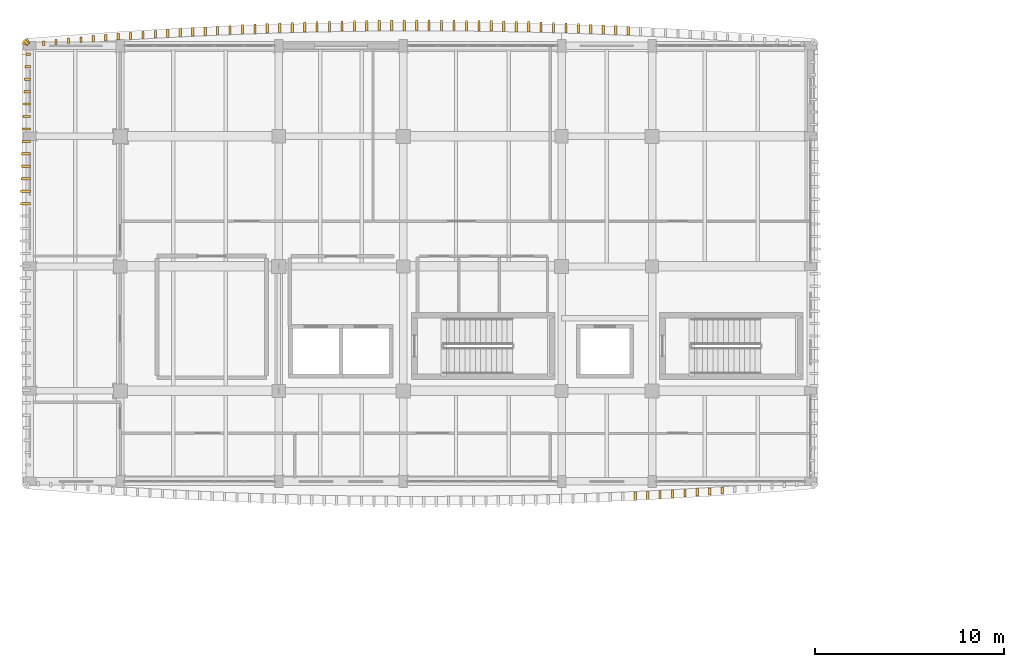
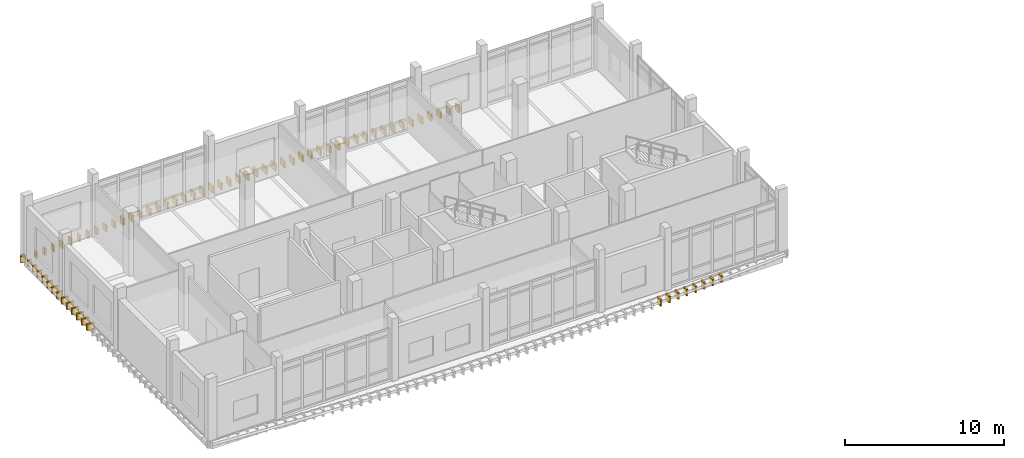
# One storey, part 32 of 37: 72 coverings.
"""IFC4 building model written with IfcOpenShell, lengths in metres."""

from ifc_helpers import new_model, si_unit, direction, frame, origin, origin_2d, place, context, subcontext, project, spatial, rectangle, extrude, material, layer, layer_set, type_object, element, save


model = new_model("IFC4")

# Units and contexts
model_context = context("Model", 3, precision=1e-05, world=origin(), true_north=direction((0.0, 1.0)))
body_context = subcontext(model_context, "Body", "Model", "MODEL_VIEW")
ifc_project = project(units=[si_unit("LENGTHUNIT", "METRE"), si_unit("AREAUNIT", "SQUARE_METRE"), si_unit("VOLUMEUNIT", "CUBIC_METRE"), si_unit("PLANEANGLEUNIT", "RADIAN"), si_unit("MASSUNIT", "GRAM", prefix="KILO")], contexts=[model_context])

# Site, building, storey
site_placement = place(None, origin())
site = spatial("IfcSite", under=ifc_project, at=site_placement, CompositionType="ELEMENT")
building_placement = place(site_placement, origin())
building = spatial("IfcBuilding", under=site, at=building_placement, Name="Dornvale Research Institute", CompositionType="ELEMENT")
storey_placement = place(building_placement, frame((0.0, 0.0, 29.39990234375)))
storey = spatial("IfcBuildingStorey", under=building, at=storey_placement, Name="L06", CompositionType="ELEMENT", Elevation=29.39990234375)

# Coverings
ifc_material = material(Name="Polychrome Glazed Terracotta Visor Rib Ceramic", Category="masonry")
ifc_layer = layer(ifc_material, 0.1201171875)
ifc_layer_set = layer_set([ifc_layer], Name="Polychrome Glazed Terracotta Visor Rib Ceramic")
covering_type = type_object("IfcCoveringType", Name="Covering_VisorBlade_Main", PredefinedType="CLADDING", material=ifc_layer_set)
covering_1_placement = place(storey_placement, frame((32.102783203125, 98.220703125, -0.489990234375), z_axis=(0.0, 0.0, 1.0), x_axis=(0.0, 1.0, 0.0)))
element("IfcCovering", 1, at=covering_1_placement, inside=storey, type_object=covering_type, Name="L06 V5 canted glazed terracotta visor blade #1039", PredefinedType="CLADDING", context=body_context, shape_type="SweptSolid", body=[
    extrude(rectangle(XDim=0.45703125, YDim=0.1201171875, at=origin_2d()), origin(), (0.0, 0.0, 1.0), 0.5),
])
covering_2_placement = place(storey_placement, frame((32.76220703125, 98.257080078125, -0.489990234375), z_axis=(0.0, 0.0, 1.0), x_axis=(0.0, 1.0, 0.0)))
element("IfcCovering", 2, at=covering_2_placement, inside=storey, type_object=covering_type, Name="L06 V5 canted glazed terracotta visor blade #1040", PredefinedType="CLADDING", context=body_context, shape_type="SweptSolid", body=[
    extrude(rectangle(XDim=0.445068359375, YDim=0.1201171875, at=origin_2d()), origin(), (0.0, 0.0, 1.0), 0.5),
])
covering_3_placement = place(storey_placement, frame((33.42138671875, 98.2958984375, -0.489990234375), z_axis=(0.0, 0.0, 1.0), x_axis=(0.0, 1.0, 0.0)))
element("IfcCovering", 3, at=covering_3_placement, inside=storey, type_object=covering_type, Name="L06 V5 canted glazed terracotta visor blade #1041", PredefinedType="CLADDING", context=body_context, shape_type="SweptSolid", body=[
    extrude(rectangle(XDim=0.431884765625, YDim=0.1201171875, at=origin_2d()), origin(), (0.0, 0.0, 1.0), 0.5),
])
covering_4_placement = place(storey_placement, frame((34.08056640625, 98.33740234375, -0.489990234375), z_axis=(0.0, 0.0, 1.0), x_axis=(0.0, 1.0, 0.0)))
element("IfcCovering", 4, at=covering_4_placement, inside=storey, type_object=covering_type, Name="L06 V5 canted glazed terracotta visor blade #1042", PredefinedType="CLADDING", context=body_context, shape_type="SweptSolid", body=[
    extrude(rectangle(XDim=0.41796875, YDim=0.1201171875, at=origin_2d()), origin(), (0.0, 0.0, 1.0), 0.5),
])
covering_5_placement = place(storey_placement, frame((34.739501953125, 98.379150390625, -0.489990234375), z_axis=(0.0, 0.0, 1.0), x_axis=(0.0, 1.0, 0.0)))
element("IfcCovering", 5, at=covering_5_placement, inside=storey, type_object=covering_type, Name="L06 V5 canted glazed terracotta visor blade #1043", PredefinedType="CLADDING", context=body_context, shape_type="SweptSolid", body=[
    extrude(rectangle(XDim=0.404052734375, YDim=0.1201171875, at=origin_2d()), origin(), (0.0, 0.0, 1.0), 0.5),
])
covering_6_placement = place(storey_placement, frame((35.3984375, 98.42529296875, -0.489990234375), z_axis=(0.0, 0.0, 1.0), x_axis=(0.0, 1.0, 0.0)))
element("IfcCovering", 6, at=covering_6_placement, inside=storey, type_object=covering_type, Name="L06 V5 canted glazed terracotta visor blade #1044", PredefinedType="CLADDING", context=body_context, shape_type="SweptSolid", body=[
    extrude(rectangle(XDim=0.388916015625, YDim=0.1201171875, at=origin_2d()), origin(), (0.0, 0.0, 1.0), 0.5),
])
covering_7_placement = place(storey_placement, frame((36.057373046875, 98.472412109375, -0.489990234375), z_axis=(0.0, 0.0, 1.0), x_axis=(0.0, 1.0, 0.0)))
element("IfcCovering", 7, at=covering_7_placement, inside=storey, type_object=covering_type, Name="L06 V5 canted glazed terracotta visor blade #1045", PredefinedType="CLADDING", context=body_context, shape_type="SweptSolid", body=[
    extrude(rectangle(XDim=0.373046875, YDim=0.1201171875, at=origin_2d()), origin(), (0.0, 0.0, 1.0), 0.5),
])
covering_8_placement = place(storey_placement, frame((36.716064453125, 98.521240234375, -0.489990234375), z_axis=(0.0, 0.0, 1.0), x_axis=(0.0, 1.0, 0.0)))
element("IfcCovering", 8, at=covering_8_placement, inside=storey, type_object=covering_type, Name="L06 V5 canted glazed terracotta visor blade #1046", PredefinedType="CLADDING", context=body_context, shape_type="SweptSolid", body=[
    extrude(rectangle(XDim=0.35693359375, YDim=0.1201171875, at=origin_2d()), origin(), (0.0, 0.0, 1.0), 0.5),
])
covering_9_placement = place(storey_placement, frame((31.729736328125, 122.89990234375, -0.489990234375), z_axis=(0.0, 0.0, 1.0), x_axis=(0.0, 1.0, 0.0)))
element("IfcCovering", 9, at=covering_9_placement, inside=storey, type_object=covering_type, Name="L06 V5 canted glazed terracotta visor blade #1067", PredefinedType="CLADDING", context=body_context, shape_type="SweptSolid", body=[
    extrude(rectangle(XDim=0.464111328125, YDim=0.1201171875, at=origin_2d()), origin(), (0.0, 0.0, 1.0), 0.5),
])
covering_10_placement = place(storey_placement, frame((31.0703125, 122.93310546875, -0.489990234375), z_axis=(0.0, 0.0, 1.0), x_axis=(0.0, 1.0, 0.0)))
element("IfcCovering", 10, at=covering_10_placement, inside=storey, type_object=covering_type, Name="L06 V5 canted glazed terracotta visor blade #1068", PredefinedType="CLADDING", context=body_context, shape_type="SweptSolid", body=[
    extrude(rectangle(XDim=0.47509765625, YDim=0.1201171875, at=origin_2d()), origin(), (0.0, 0.0, 1.0), 0.5),
])
covering_11_placement = place(storey_placement, frame((30.410888671875, 122.964111328125, -0.489990234375), z_axis=(0.0, 0.0, 1.0), x_axis=(0.0, 1.0, 0.0)))
element("IfcCovering", 11, at=covering_11_placement, inside=storey, type_object=covering_type, Name="L06 V5 canted glazed terracotta visor blade #1069", PredefinedType="CLADDING", context=body_context, shape_type="SweptSolid", body=[
    extrude(rectangle(XDim=0.485107421875, YDim=0.1201171875, at=origin_2d()), origin(), (0.0, 0.0, 1.0), 0.5),
])
covering_12_placement = place(storey_placement, frame((29.751220703125, 122.994873046875, -0.489990234375), z_axis=(0.0, 0.0, 1.0), x_axis=(0.0, 1.0, 0.0)))
element("IfcCovering", 12, at=covering_12_placement, inside=storey, type_object=covering_type, Name="L06 V5 canted glazed terracotta visor blade #1070", PredefinedType="CLADDING", context=body_context, shape_type="SweptSolid", body=[
    extrude(rectangle(XDim=0.4951171875, YDim=0.1201171875, at=origin_2d()), origin(), (0.0, 0.0, 1.0), 0.5),
])
covering_13_placement = place(storey_placement, frame((29.091552734375, 123.02099609375, -0.489990234375), z_axis=(0.0, 0.0, 1.0), x_axis=(0.0, 1.0, 0.0)))
element("IfcCovering", 13, at=covering_13_placement, inside=storey, type_object=covering_type, Name="L06 V5 canted glazed terracotta visor blade #1071", PredefinedType="CLADDING", context=body_context, shape_type="SweptSolid", body=[
    extrude(rectangle(XDim=0.50390625, YDim=0.1201171875, at=origin_2d()), origin(), (0.0, 0.0, 1.0), 0.5),
])
covering_14_placement = place(storey_placement, frame((28.431884765625, 123.047119140625, -0.489990234375), z_axis=(0.0, 0.0, 1.0), x_axis=(0.0, 1.0, 0.0)))
element("IfcCovering", 14, at=covering_14_placement, inside=storey, type_object=covering_type, Name="L06 V5 canted glazed terracotta visor blade #1072", PredefinedType="CLADDING", context=body_context, shape_type="SweptSolid", body=[
    extrude(rectangle(XDim=0.512939453125, YDim=0.1201171875, at=origin_2d()), origin(), (0.0, 0.0, 1.0), 0.5),
])
covering_15_placement = place(storey_placement, frame((27.772216796875, 123.06982421875, -0.489990234375), z_axis=(0.0, 0.0, 1.0), x_axis=(0.0, 1.0, 0.0)))
element("IfcCovering", 15, at=covering_15_placement, inside=storey, type_object=covering_type, Name="L06 V5 canted glazed terracotta visor blade #1073", PredefinedType="CLADDING", context=body_context, shape_type="SweptSolid", body=[
    extrude(rectangle(XDim=0.52001953125, YDim=0.1201171875, at=origin_2d()), origin(), (0.0, 0.0, 1.0), 0.5),
])
covering_16_placement = place(storey_placement, frame((27.112548828125, 123.0908203125, -0.489990234375), z_axis=(0.0, 0.0, 1.0), x_axis=(0.0, 1.0, 0.0)))
element("IfcCovering", 16, at=covering_16_placement, inside=storey, type_object=covering_type, Name="L06 V5 canted glazed terracotta visor blade #1074", PredefinedType="CLADDING", context=body_context, shape_type="SweptSolid", body=[
    extrude(rectangle(XDim=0.527099609375, YDim=0.1201171875, at=origin_2d()), origin(), (0.0, 0.0, 1.0), 0.5),
])
covering_17_placement = place(storey_placement, frame((26.45263671875, 123.111328125, -0.489990234375), z_axis=(0.0, 0.0, 1.0), x_axis=(0.0, 1.0, 0.0)))
element("IfcCovering", 17, at=covering_17_placement, inside=storey, type_object=covering_type, Name="L06 V5 canted glazed terracotta visor blade #1075", PredefinedType="CLADDING", context=body_context, shape_type="SweptSolid", body=[
    extrude(rectangle(XDim=0.533935546875, YDim=0.1201171875, at=origin_2d()), origin(), (0.0, 0.0, 1.0), 0.5),
])
covering_18_placement = place(storey_placement, frame((25.792724609375, 123.126708984375, -0.489990234375), z_axis=(0.0, 0.0, 1.0), x_axis=(0.0, 1.0, 0.0)))
element("IfcCovering", 18, at=covering_18_placement, inside=storey, type_object=covering_type, Name="L06 V5 canted glazed terracotta visor blade #1076", PredefinedType="CLADDING", context=body_context, shape_type="SweptSolid", body=[
    extrude(rectangle(XDim=0.5390625, YDim=0.1201171875, at=origin_2d()), origin(), (0.0, 0.0, 1.0), 0.5),
])
covering_19_placement = place(storey_placement, frame((25.133056640625, 123.14208984375, -0.489990234375), z_axis=(0.0, 0.0, 1.0), x_axis=(0.0, 1.0, 0.0)))
element("IfcCovering", 19, at=covering_19_placement, inside=storey, type_object=covering_type, Name="L06 V5 canted glazed terracotta visor blade #1077", PredefinedType="CLADDING", context=body_context, shape_type="SweptSolid", body=[
    extrude(rectangle(XDim=0.5439453125, YDim=0.1201171875, at=origin_2d()), origin(), (0.0, 0.0, 1.0), 0.5),
])
covering_20_placement = place(storey_placement, frame((24.47314453125, 123.1552734375, -0.489990234375), z_axis=(0.0, 0.0, 1.0), x_axis=(0.0, 1.0, 0.0)))
element("IfcCovering", 20, at=covering_20_placement, inside=storey, type_object=covering_type, Name="L06 V5 canted glazed terracotta visor blade #1078", PredefinedType="CLADDING", context=body_context, shape_type="SweptSolid", body=[
    extrude(rectangle(XDim=0.549072265625, YDim=0.1201171875, at=origin_2d()), origin(), (0.0, 0.0, 1.0), 0.5),
])
covering_21_placement = place(storey_placement, frame((23.81298828125, 123.16552734375, -0.489990234375), z_axis=(0.0, 0.0, 1.0), x_axis=(0.0, 1.0, 0.0)))
element("IfcCovering", 21, at=covering_21_placement, inside=storey, type_object=covering_type, Name="L06 V5 canted glazed terracotta visor blade #1079", PredefinedType="CLADDING", context=body_context, shape_type="SweptSolid", body=[
    extrude(rectangle(XDim=0.552001953125, YDim=0.1201171875, at=origin_2d()), origin(), (0.0, 0.0, 1.0), 0.5),
])
covering_22_placement = place(storey_placement, frame((23.1533203125, 123.175537109375, -0.489990234375), z_axis=(0.0, 0.0, 1.0), x_axis=(0.0, 1.0, 0.0)))
element("IfcCovering", 22, at=covering_22_placement, inside=storey, type_object=covering_type, Name="L06 V5 canted glazed terracotta visor blade #1080", PredefinedType="CLADDING", context=body_context, shape_type="SweptSolid", body=[
    extrude(rectangle(XDim=0.554931640625, YDim=0.1201171875, at=origin_2d()), origin(), (0.0, 0.0, 1.0), 0.5),
])
covering_23_placement = place(storey_placement, frame((22.4931640625, 123.180908203125, -0.489990234375), z_axis=(0.0, 0.0, 1.0), x_axis=(0.0, 1.0, 0.0)))
element("IfcCovering", 23, at=covering_23_placement, inside=storey, type_object=covering_type, Name="L06 V5 canted glazed terracotta visor blade #1081", PredefinedType="CLADDING", context=body_context, shape_type="SweptSolid", body=[
    extrude(rectangle(XDim=0.556884765625, YDim=0.1201171875, at=origin_2d()), origin(), (0.0, 0.0, 1.0), 0.5),
])
covering_24_placement = place(storey_placement, frame((21.833251953125, 123.18603515625, -0.489990234375), z_axis=(0.0, 0.0, 1.0), x_axis=(0.0, 1.0, 0.0)))
element("IfcCovering", 24, at=covering_24_placement, inside=storey, type_object=covering_type, Name="L06 V5 canted glazed terracotta visor blade #1082", PredefinedType="CLADDING", context=body_context, shape_type="SweptSolid", body=[
    extrude(rectangle(XDim=0.55908203125, YDim=0.1201171875, at=origin_2d()), origin(), (0.0, 0.0, 1.0), 0.5),
])
for number, where, z_axis, x_axis, name in (
    (25, (21.173095703125, 123.188720703125, -0.489990234375), (0.0, 0.0, 1.0), (0.0, 1.0, 0.0), "L06 V5 canted glazed terracotta visor blade #1083"),
    (26, (20.51318359375, 123.188720703125, -0.489990234375), (0.0, 0.0, 1.0), (0.0, 1.0, 0.0), "L06 V5 canted glazed terracotta visor blade #1084"),
):
    element("IfcCovering", number, at=place(storey_placement, frame(where, z_axis=z_axis, x_axis=x_axis)), inside=storey, type_object=covering_type, Name=name, PredefinedType="CLADDING", context=body_context, shape_type="SweptSolid", body=[
        extrude(rectangle(XDim=0.56005859375, YDim=0.1201171875, at=origin_2d()), origin(), (0.0, 0.0, 1.0), 0.5),
    ])
covering_25_placement = place(storey_placement, frame((19.853271484375, 123.18798828125, -0.489990234375), z_axis=(0.0, 0.0, 1.0), x_axis=(0.0, 1.0, 0.0)))
element("IfcCovering", 27, at=covering_25_placement, inside=storey, type_object=covering_type, Name="L06 V5 canted glazed terracotta visor blade #1085", PredefinedType="CLADDING", context=body_context, shape_type="SweptSolid", body=[
    extrude(rectangle(XDim=0.55908203125, YDim=0.1201171875, at=origin_2d()), origin(), (0.0, 0.0, 1.0), 0.5),
])
covering_26_placement = place(storey_placement, frame((19.193115234375, 123.18310546875, -0.489990234375), z_axis=(0.0, 0.0, 1.0), x_axis=(0.0, 1.0, 0.0)))
element("IfcCovering", 28, at=covering_26_placement, inside=storey, type_object=covering_type, Name="L06 V5 canted glazed terracotta visor blade #1086", PredefinedType="CLADDING", context=body_context, shape_type="SweptSolid", body=[
    extrude(rectangle(XDim=0.55810546875, YDim=0.1201171875, at=origin_2d()), origin(), (0.0, 0.0, 1.0), 0.5),
])
covering_27_placement = place(storey_placement, frame((18.533203125, 123.177978515625, -0.489990234375), z_axis=(0.0, 0.0, 1.0), x_axis=(0.0, 1.0, 0.0)))
element("IfcCovering", 29, at=covering_27_placement, inside=storey, type_object=covering_type, Name="L06 V5 canted glazed terracotta visor blade #1087", PredefinedType="CLADDING", context=body_context, shape_type="SweptSolid", body=[
    extrude(rectangle(XDim=0.555908203125, YDim=0.1201171875, at=origin_2d()), origin(), (0.0, 0.0, 1.0), 0.5),
])
covering_28_placement = place(storey_placement, frame((17.873291015625, 123.17041015625, -0.489990234375), z_axis=(0.0, 0.0, 1.0), x_axis=(0.0, 1.0, 0.0)))
element("IfcCovering", 30, at=covering_28_placement, inside=storey, type_object=covering_type, Name="L06 V5 canted glazed terracotta visor blade #1088", PredefinedType="CLADDING", context=body_context, shape_type="SweptSolid", body=[
    extrude(rectangle(XDim=0.553955078125, YDim=0.1201171875, at=origin_2d()), origin(), (0.0, 0.0, 1.0), 0.5),
])
covering_29_placement = place(storey_placement, frame((17.21337890625, 123.15966796875, -0.489990234375), z_axis=(0.0, 0.0, 1.0), x_axis=(0.0, 1.0, 0.0)))
element("IfcCovering", 31, at=covering_29_placement, inside=storey, type_object=covering_type, Name="L06 V5 canted glazed terracotta visor blade #1089", PredefinedType="CLADDING", context=body_context, shape_type="SweptSolid", body=[
    extrude(rectangle(XDim=0.550048828125, YDim=0.1201171875, at=origin_2d()), origin(), (0.0, 0.0, 1.0), 0.5),
])
covering_30_placement = place(storey_placement, frame((16.553466796875, 123.14892578125, -0.489990234375), z_axis=(0.0, 0.0, 1.0), x_axis=(0.0, 1.0, 0.0)))
element("IfcCovering", 32, at=covering_30_placement, inside=storey, type_object=covering_type, Name="L06 V5 canted glazed terracotta visor blade #1090", PredefinedType="CLADDING", context=body_context, shape_type="SweptSolid", body=[
    extrude(rectangle(XDim=0.5458984375, YDim=0.1201171875, at=origin_2d()), origin(), (0.0, 0.0, 1.0), 0.5),
])
covering_31_placement = place(storey_placement, frame((15.8935546875, 123.1337890625, -0.489990234375), z_axis=(0.0, 0.0, 1.0), x_axis=(0.0, 1.0, 0.0)))
element("IfcCovering", 33, at=covering_31_placement, inside=storey, type_object=covering_type, Name="L06 V5 canted glazed terracotta visor blade #1091", PredefinedType="CLADDING", context=body_context, shape_type="SweptSolid", body=[
    extrude(rectangle(XDim=0.5419921875, YDim=0.1201171875, at=origin_2d()), origin(), (0.0, 0.0, 1.0), 0.5),
])
covering_32_placement = place(storey_placement, frame((15.233642578125, 123.117919921875, -0.489990234375), z_axis=(0.0, 0.0, 1.0), x_axis=(0.0, 1.0, 0.0)))
element("IfcCovering", 34, at=covering_32_placement, inside=storey, type_object=covering_type, Name="L06 V5 canted glazed terracotta visor blade #1092", PredefinedType="CLADDING", context=body_context, shape_type="SweptSolid", body=[
    extrude(rectangle(XDim=0.535888671875, YDim=0.1201171875, at=origin_2d()), origin(), (0.0, 0.0, 1.0), 0.5),
])
covering_33_placement = place(storey_placement, frame((14.57373046875, 123.099609375, -0.489990234375), z_axis=(0.0, 0.0, 1.0), x_axis=(0.0, 1.0, 0.0)))
element("IfcCovering", 35, at=covering_33_placement, inside=storey, type_object=covering_type, Name="L06 V5 canted glazed terracotta visor blade #1093", PredefinedType="CLADDING", context=body_context, shape_type="SweptSolid", body=[
    extrude(rectangle(XDim=0.530029296875, YDim=0.1201171875, at=origin_2d()), origin(), (0.0, 0.0, 1.0), 0.5),
])
covering_34_placement = place(storey_placement, frame((13.9140625, 123.079345703125, -0.489990234375), z_axis=(0.0, 0.0, 1.0), x_axis=(0.0, 1.0, 0.0)))
element("IfcCovering", 36, at=covering_34_placement, inside=storey, type_object=covering_type, Name="L06 V5 canted glazed terracotta visor blade #1094", PredefinedType="CLADDING", context=body_context, shape_type="SweptSolid", body=[
    extrude(rectangle(XDim=0.52392578125, YDim=0.1201171875, at=origin_2d()), origin(), (0.0, 0.0, 1.0), 0.5),
])
covering_35_placement = place(storey_placement, frame((13.25439453125, 123.05810546875, -0.489990234375), z_axis=(0.0, 0.0, 1.0), x_axis=(0.0, 1.0, 0.0)))
element("IfcCovering", 37, at=covering_35_placement, inside=storey, type_object=covering_type, Name="L06 V5 canted glazed terracotta visor blade #1095", PredefinedType="CLADDING", context=body_context, shape_type="SweptSolid", body=[
    extrude(rectangle(XDim=0.51611328125, YDim=0.1201171875, at=origin_2d()), origin(), (0.0, 0.0, 1.0), 0.5),
])
covering_36_placement = place(storey_placement, frame((12.594482421875, 123.0322265625, -0.489990234375), z_axis=(0.0, 0.0, 1.0), x_axis=(0.0, 1.0, 0.0)))
element("IfcCovering", 38, at=covering_36_placement, inside=storey, type_object=covering_type, Name="L06 V5 canted glazed terracotta visor blade #1096", PredefinedType="CLADDING", context=body_context, shape_type="SweptSolid", body=[
    extrude(rectangle(XDim=0.508056640625, YDim=0.1201171875, at=origin_2d()), origin(), (0.0, 0.0, 1.0), 0.5),
])
covering_37_placement = place(storey_placement, frame((11.93505859375, 123.006103515625, -0.489990234375), z_axis=(0.0, 0.0, 1.0), x_axis=(0.0, 1.0, 0.0)))
element("IfcCovering", 39, at=covering_37_placement, inside=storey, type_object=covering_type, Name="L06 V5 canted glazed terracotta visor blade #1097", PredefinedType="CLADDING", context=body_context, shape_type="SweptSolid", body=[
    extrude(rectangle(XDim=0.4990234375, YDim=0.1201171875, at=origin_2d()), origin(), (0.0, 0.0, 1.0), 0.5),
])
covering_38_placement = place(storey_placement, frame((11.275390625, 122.977783203125, -0.489990234375), z_axis=(0.0, 0.0, 1.0), x_axis=(0.0, 1.0, 0.0)))
element("IfcCovering", 40, at=covering_38_placement, inside=storey, type_object=covering_type, Name="L06 V5 canted glazed terracotta visor blade #1098", PredefinedType="CLADDING", context=body_context, shape_type="SweptSolid", body=[
    extrude(rectangle(XDim=0.489990234375, YDim=0.1201171875, at=origin_2d()), origin(), (0.0, 0.0, 1.0), 0.5),
])
covering_39_placement = place(storey_placement, frame((10.615966796875, 122.946533203125, -0.489990234375), z_axis=(0.0, 0.0, 1.0), x_axis=(0.0, 1.0, 0.0)))
element("IfcCovering", 41, at=covering_39_placement, inside=storey, type_object=covering_type, Name="L06 V5 canted glazed terracotta visor blade #1099", PredefinedType="CLADDING", context=body_context, shape_type="SweptSolid", body=[
    extrude(rectangle(XDim=0.47900390625, YDim=0.1201171875, at=origin_2d()), origin(), (0.0, 0.0, 1.0), 0.5),
])
covering_40_placement = place(storey_placement, frame((9.956298828125, 122.91552734375, -0.489990234375), z_axis=(0.0, 0.0, 1.0), x_axis=(0.0, 1.0, 0.0)))
element("IfcCovering", 42, at=covering_40_placement, inside=storey, type_object=covering_type, Name="L06 V5 canted glazed terracotta visor blade #1100", PredefinedType="CLADDING", context=body_context, shape_type="SweptSolid", body=[
    extrude(rectangle(XDim=0.468994140625, YDim=0.1201171875, at=origin_2d()), origin(), (0.0, 0.0, 1.0), 0.5),
])
covering_41_placement = place(storey_placement, frame((9.297119140625, 122.87939453125, -0.489990234375), z_axis=(0.0, 0.0, 1.0), x_axis=(0.0, 1.0, 0.0)))
element("IfcCovering", 43, at=covering_41_placement, inside=storey, type_object=covering_type, Name="L06 V5 canted glazed terracotta visor blade #1101", PredefinedType="CLADDING", context=body_context, shape_type="SweptSolid", body=[
    extrude(rectangle(XDim=0.45703125, YDim=0.1201171875, at=origin_2d()), origin(), (0.0, 0.0, 1.0), 0.5),
])
covering_42_placement = place(storey_placement, frame((8.6376953125, 122.843017578125, -0.489990234375), z_axis=(0.0, 0.0, 1.0), x_axis=(0.0, 1.0, 0.0)))
element("IfcCovering", 44, at=covering_42_placement, inside=storey, type_object=covering_type, Name="L06 V5 canted glazed terracotta visor blade #1102", PredefinedType="CLADDING", context=body_context, shape_type="SweptSolid", body=[
    extrude(rectangle(XDim=0.445068359375, YDim=0.1201171875, at=origin_2d()), origin(), (0.0, 0.0, 1.0), 0.5),
])
covering_43_placement = place(storey_placement, frame((7.978515625, 122.80419921875, -0.489990234375), z_axis=(0.0, 0.0, 1.0), x_axis=(0.0, 1.0, 0.0)))
element("IfcCovering", 45, at=covering_43_placement, inside=storey, type_object=covering_type, Name="L06 V5 canted glazed terracotta visor blade #1103", PredefinedType="CLADDING", context=body_context, shape_type="SweptSolid", body=[
    extrude(rectangle(XDim=0.431884765625, YDim=0.1201171875, at=origin_2d()), origin(), (0.0, 0.0, 1.0), 0.5),
])
covering_44_placement = place(storey_placement, frame((7.319580078125, 122.762451171875, -0.489990234375), z_axis=(0.0, 0.0, 1.0), x_axis=(0.0, 1.0, 0.0)))
element("IfcCovering", 46, at=covering_44_placement, inside=storey, type_object=covering_type, Name="L06 V5 canted glazed terracotta visor blade #1104", PredefinedType="CLADDING", context=body_context, shape_type="SweptSolid", body=[
    extrude(rectangle(XDim=0.41796875, YDim=0.1201171875, at=origin_2d()), origin(), (0.0, 0.0, 1.0), 0.5),
])
covering_45_placement = place(storey_placement, frame((6.660400390625, 122.720947265625, -0.489990234375), z_axis=(0.0, 0.0, 1.0), x_axis=(0.0, 1.0, 0.0)))
element("IfcCovering", 47, at=covering_45_placement, inside=storey, type_object=covering_type, Name="L06 V5 canted glazed terracotta visor blade #1105", PredefinedType="CLADDING", context=body_context, shape_type="SweptSolid", body=[
    extrude(rectangle(XDim=0.404052734375, YDim=0.1201171875, at=origin_2d()), origin(), (0.0, 0.0, 1.0), 0.5),
])
covering_46_placement = place(storey_placement, frame((6.001708984375, 122.6748046875, -0.489990234375), z_axis=(0.0, 0.0, 1.0), x_axis=(0.0, 1.0, 0.0)))
element("IfcCovering", 48, at=covering_46_placement, inside=storey, type_object=covering_type, Name="L06 V5 canted glazed terracotta visor blade #1106", PredefinedType="CLADDING", context=body_context, shape_type="SweptSolid", body=[
    extrude(rectangle(XDim=0.388916015625, YDim=0.1201171875, at=origin_2d()), origin(), (0.0, 0.0, 1.0), 0.5),
])
covering_47_placement = place(storey_placement, frame((5.3427734375, 122.627685546875, -0.489990234375), z_axis=(0.0, 0.0, 1.0), x_axis=(0.0, 1.0, 0.0)))
element("IfcCovering", 49, at=covering_47_placement, inside=storey, type_object=covering_type, Name="L06 V5 canted glazed terracotta visor blade #1107", PredefinedType="CLADDING", context=body_context, shape_type="SweptSolid", body=[
    extrude(rectangle(XDim=0.373046875, YDim=0.1201171875, at=origin_2d()), origin(), (0.0, 0.0, 1.0), 0.5),
])
covering_48_placement = place(storey_placement, frame((4.68408203125, 122.578857421875, -0.489990234375), z_axis=(0.0, 0.0, 1.0), x_axis=(0.0, 1.0, 0.0)))
element("IfcCovering", 50, at=covering_48_placement, inside=storey, type_object=covering_type, Name="L06 V5 canted glazed terracotta visor blade #1108", PredefinedType="CLADDING", context=body_context, shape_type="SweptSolid", body=[
    extrude(rectangle(XDim=0.35693359375, YDim=0.1201171875, at=origin_2d()), origin(), (0.0, 0.0, 1.0), 0.5),
])
covering_49_placement = place(storey_placement, frame((4.025390625, 122.527099609375, -0.489990234375), z_axis=(0.0, 0.0, 1.0), x_axis=(0.0, 1.0, 0.0)))
element("IfcCovering", 51, at=covering_49_placement, inside=storey, type_object=covering_type, Name="L06 V5 canted glazed terracotta visor blade #1109", PredefinedType="CLADDING", context=body_context, shape_type="SweptSolid", body=[
    extrude(rectangle(XDim=0.340087890625, YDim=0.1201171875, at=origin_2d()), origin(), (0.0, 0.0, 1.0), 0.5),
])
covering_50_placement = place(storey_placement, frame((3.36669921875, 122.474853515625, -0.489990234375), z_axis=(0.0, 0.0, 1.0), x_axis=(0.0, 1.0, 0.0)))
element("IfcCovering", 52, at=covering_50_placement, inside=storey, type_object=covering_type, Name="L06 V5 canted glazed terracotta visor blade #1110", PredefinedType="CLADDING", context=body_context, shape_type="SweptSolid", body=[
    extrude(rectangle(XDim=0.322021484375, YDim=0.1201171875, at=origin_2d()), origin(), (0.0, 0.0, 1.0), 0.5),
])
covering_51_placement = place(storey_placement, frame((2.70849609375, 122.418212890625, -0.489990234375), z_axis=(0.0, 0.0, 1.0), x_axis=(0.0, 1.0, 0.0)))
element("IfcCovering", 53, at=covering_51_placement, inside=storey, type_object=covering_type, Name="L06 V5 canted glazed terracotta visor blade #1111", PredefinedType="CLADDING", context=body_context, shape_type="SweptSolid", body=[
    extrude(rectangle(XDim=0.302978515625, YDim=0.1201171875, at=origin_2d()), origin(), (0.0, 0.0, 1.0), 0.5),
])
covering_52_placement = place(storey_placement, frame((2.05029296875, 122.361083984375, -0.489990234375), z_axis=(0.0, 0.0, 1.0), x_axis=(0.0, 1.0, 0.0)))
element("IfcCovering", 54, at=covering_52_placement, inside=storey, type_object=covering_type, Name="L06 V5 canted glazed terracotta visor blade #1112", PredefinedType="CLADDING", context=body_context, shape_type="SweptSolid", body=[
    extrude(rectangle(XDim=0.283935546875, YDim=0.1201171875, at=origin_2d()), origin(), (0.0, 0.0, 1.0), 0.5),
])
covering_53_placement = place(storey_placement, frame((1.39208984375, 122.3017578125, -0.489990234375), z_axis=(0.0, 0.0, 1.0), x_axis=(0.0, 1.0, 0.0)))
element("IfcCovering", 55, at=covering_53_placement, inside=storey, type_object=covering_type, Name="L06 V5 canted glazed terracotta visor blade #1113", PredefinedType="CLADDING", context=body_context, shape_type="SweptSolid", body=[
    extrude(rectangle(XDim=0.263916015625, YDim=0.1201171875, at=origin_2d()), origin(), (0.0, 0.0, 1.0), 0.5),
])
covering_54_placement = place(storey_placement, frame((0.734130859375, 122.239990234375, -0.489990234375), z_axis=(0.0, 0.0, 1.0), x_axis=(0.0, 1.0, 0.0)))
element("IfcCovering", 56, at=covering_54_placement, inside=storey, type_object=covering_type, Name="L06 V5 canted glazed terracotta visor blade #1114", PredefinedType="CLADDING", context=body_context, shape_type="SweptSolid", body=[
    extrude(rectangle(XDim=0.243896484375, YDim=0.1201171875, at=origin_2d()), origin(), (0.0, 0.0, 1.0), 0.5),
])
covering_55_placement = place(storey_placement, frame((-0.0830078125, 121.64990234375, -0.489990234375), z_axis=(0.0, 0.0, 1.0), x_axis=(1.0, 0.0, 0.0)))
element("IfcCovering", 57, at=covering_55_placement, inside=storey, type_object=covering_type, Name="L06 V5 canted glazed terracotta visor blade #1149", PredefinedType="CLADDING", context=body_context, shape_type="SweptSolid", body=[
    extrude(rectangle(XDim=0.24609375, YDim=0.1201171875, at=origin_2d()), origin(), (0.0, 0.0, 1.0), 0.5),
])
covering_56_placement = place(storey_placement, frame((-0.10107421875, 120.989990234375, -0.489990234375), z_axis=(0.0, 0.0, 1.0), x_axis=(1.0, 0.0, 0.0)))
element("IfcCovering", 58, at=covering_56_placement, inside=storey, type_object=covering_type, Name="L06 V5 canted glazed terracotta visor blade #1150", PredefinedType="CLADDING", context=body_context, shape_type="SweptSolid", body=[
    extrude(rectangle(XDim=0.281982421875, YDim=0.1201171875, at=origin_2d()), origin(), (0.0, 0.0, 1.0), 0.5),
])
covering_57_placement = place(storey_placement, frame((-0.117919921875, 120.330078125, -0.489990234375), z_axis=(0.0, 0.0, 1.0), x_axis=(1.0, 0.0, 0.0)))
element("IfcCovering", 59, at=covering_57_placement, inside=storey, type_object=covering_type, Name="L06 V5 canted glazed terracotta visor blade #1151", PredefinedType="CLADDING", context=body_context, shape_type="SweptSolid", body=[
    extrude(rectangle(XDim=0.31591796875, YDim=0.1201171875, at=origin_2d()), origin(), (0.0, 0.0, 1.0), 0.5),
])
covering_58_placement = place(storey_placement, frame((-0.134033203125, 119.669921875, -0.489990234375), z_axis=(0.0, 0.0, 1.0), x_axis=(1.0, 0.0, 0.0)))
element("IfcCovering", 60, at=covering_58_placement, inside=storey, type_object=covering_type, Name="L06 V5 canted glazed terracotta visor blade #1152", PredefinedType="CLADDING", context=body_context, shape_type="SweptSolid", body=[
    extrude(rectangle(XDim=0.347900390625, YDim=0.1201171875, at=origin_2d()), origin(), (0.0, 0.0, 1.0), 0.5),
])
covering_59_placement = place(storey_placement, frame((-0.14892578125, 119.010009765625, -0.489990234375), z_axis=(0.0, 0.0, 1.0), x_axis=(1.0, 0.0, 0.0)))
element("IfcCovering", 61, at=covering_59_placement, inside=storey, type_object=covering_type, Name="L06 V5 canted glazed terracotta visor blade #1153", PredefinedType="CLADDING", context=body_context, shape_type="SweptSolid", body=[
    extrude(rectangle(XDim=0.3779296875, YDim=0.1201171875, at=origin_2d()), origin(), (0.0, 0.0, 1.0), 0.5),
])
covering_60_placement = place(storey_placement, frame((-0.16259765625, 118.35009765625, -0.489990234375), z_axis=(0.0, 0.0, 1.0), x_axis=(1.0, 0.0, 0.0)))
element("IfcCovering", 62, at=covering_60_placement, inside=storey, type_object=covering_type, Name="L06 V5 canted glazed terracotta visor blade #1154", PredefinedType="CLADDING", context=body_context, shape_type="SweptSolid", body=[
    extrude(rectangle(XDim=0.405029296875, YDim=0.1201171875, at=origin_2d()), origin(), (0.0, 0.0, 1.0), 0.5),
])
covering_61_placement = place(storey_placement, frame((-0.175048828125, 117.68994140625, -0.489990234375), z_axis=(0.0, 0.0, 1.0), x_axis=(1.0, 0.0, 0.0)))
element("IfcCovering", 63, at=covering_61_placement, inside=storey, type_object=covering_type, Name="L06 V5 canted glazed terracotta visor blade #1155", PredefinedType="CLADDING", context=body_context, shape_type="SweptSolid", body=[
    extrude(rectangle(XDim=0.429931640625, YDim=0.1201171875, at=origin_2d()), origin(), (0.0, 0.0, 1.0), 0.5),
])
covering_62_placement = place(storey_placement, frame((-0.1865234375, 117.030029296875, -0.489990234375), z_axis=(0.0, 0.0, 1.0), x_axis=(1.0, 0.0, 0.0)))
element("IfcCovering", 64, at=covering_62_placement, inside=storey, type_object=covering_type, Name="L06 V5 canted glazed terracotta visor blade #1156", PredefinedType="CLADDING", context=body_context, shape_type="SweptSolid", body=[
    extrude(rectangle(XDim=0.452880859375, YDim=0.1201171875, at=origin_2d()), origin(), (0.0, 0.0, 1.0), 0.5),
])
covering_63_placement = place(storey_placement, frame((-0.197021484375, 116.3701171875, -0.489990234375), z_axis=(0.0, 0.0, 1.0), x_axis=(1.0, 0.0, 0.0)))
element("IfcCovering", 65, at=covering_63_placement, inside=storey, type_object=covering_type, Name="L06 V5 canted glazed terracotta visor blade #1157", PredefinedType="CLADDING", context=body_context, shape_type="SweptSolid", body=[
    extrude(rectangle(XDim=0.47412109375, YDim=0.1201171875, at=origin_2d()), origin(), (0.0, 0.0, 1.0), 0.5),
])
covering_64_placement = place(storey_placement, frame((-0.2060546875, 115.7099609375, -0.489990234375), z_axis=(0.0, 0.0, 1.0), x_axis=(1.0, 0.0, 0.0)))
element("IfcCovering", 66, at=covering_64_placement, inside=storey, type_object=covering_type, Name="L06 V5 canted glazed terracotta visor blade #1158", PredefinedType="CLADDING", context=body_context, shape_type="SweptSolid", body=[
    extrude(rectangle(XDim=0.491943359375, YDim=0.1201171875, at=origin_2d()), origin(), (0.0, 0.0, 1.0), 0.5),
])
covering_65_placement = place(storey_placement, frame((-0.214111328125, 115.050048828125, -0.489990234375), z_axis=(0.0, 0.0, 1.0), x_axis=(1.0, 0.0, 0.0)))
element("IfcCovering", 67, at=covering_65_placement, inside=storey, type_object=covering_type, Name="L06 V5 canted glazed terracotta visor blade #1159", PredefinedType="CLADDING", context=body_context, shape_type="SweptSolid", body=[
    extrude(rectangle(XDim=0.508056640625, YDim=0.1201171875, at=origin_2d()), origin(), (0.0, 0.0, 1.0), 0.5),
])
covering_66_placement = place(storey_placement, frame((-0.220947265625, 114.389892578125, -0.489990234375), z_axis=(0.0, 0.0, 1.0), x_axis=(1.0, 0.0, 0.0)))
element("IfcCovering", 68, at=covering_66_placement, inside=storey, type_object=covering_type, Name="L06 V5 canted glazed terracotta visor blade #1160", PredefinedType="CLADDING", context=body_context, shape_type="SweptSolid", body=[
    extrude(rectangle(XDim=0.52197265625, YDim=0.1201171875, at=origin_2d()), origin(), (0.0, 0.0, 1.0), 0.5),
])
covering_67_placement = place(storey_placement, frame((-0.22705078125, 113.72998046875, -0.489990234375), z_axis=(0.0, 0.0, 1.0), x_axis=(1.0, 0.0, 0.0)))
element("IfcCovering", 69, at=covering_67_placement, inside=storey, type_object=covering_type, Name="L06 V5 canted glazed terracotta visor blade #1161", PredefinedType="CLADDING", context=body_context, shape_type="SweptSolid", body=[
    extrude(rectangle(XDim=0.533935546875, YDim=0.1201171875, at=origin_2d()), origin(), (0.0, 0.0, 1.0), 0.5),
])
for number, where, z_axis, x_axis, name in (
    (70, (-0.114013671875, 122.3447265625, -0.489990234375), (0.0, 0.0, 1.0), (-0.422618261741, 0.906307787037, 0.0), "L06 V5 corner-wrapping visor blade #1192"),
    (71, (-0.19091796875, 122.291015625, -0.489990234375), (0.0, 0.0, 1.0), (-0.707106781187, 0.707106781187, 0.0), "L06 V5 corner-wrapping visor blade #1193"),
    (72, (-0.24462890625, 122.214111328125, -0.489990234375), (0.0, 0.0, 1.0), (-0.906307787037, 0.422618261741, 0.0), "L06 V5 corner-wrapping visor blade #1194"),
):
    element("IfcCovering", number, at=place(storey_placement, frame(where, z_axis=z_axis, x_axis=x_axis)), inside=storey, type_object=covering_type, Name=name, PredefinedType="CLADDING", context=body_context, shape_type="SweptSolid", body=[
        extrude(rectangle(XDim=0.320068359375, YDim=0.1201171875, at=origin_2d()), origin(), (0.0, 0.0, 1.0), 0.5),
    ])

save(model, "model.ifc")
